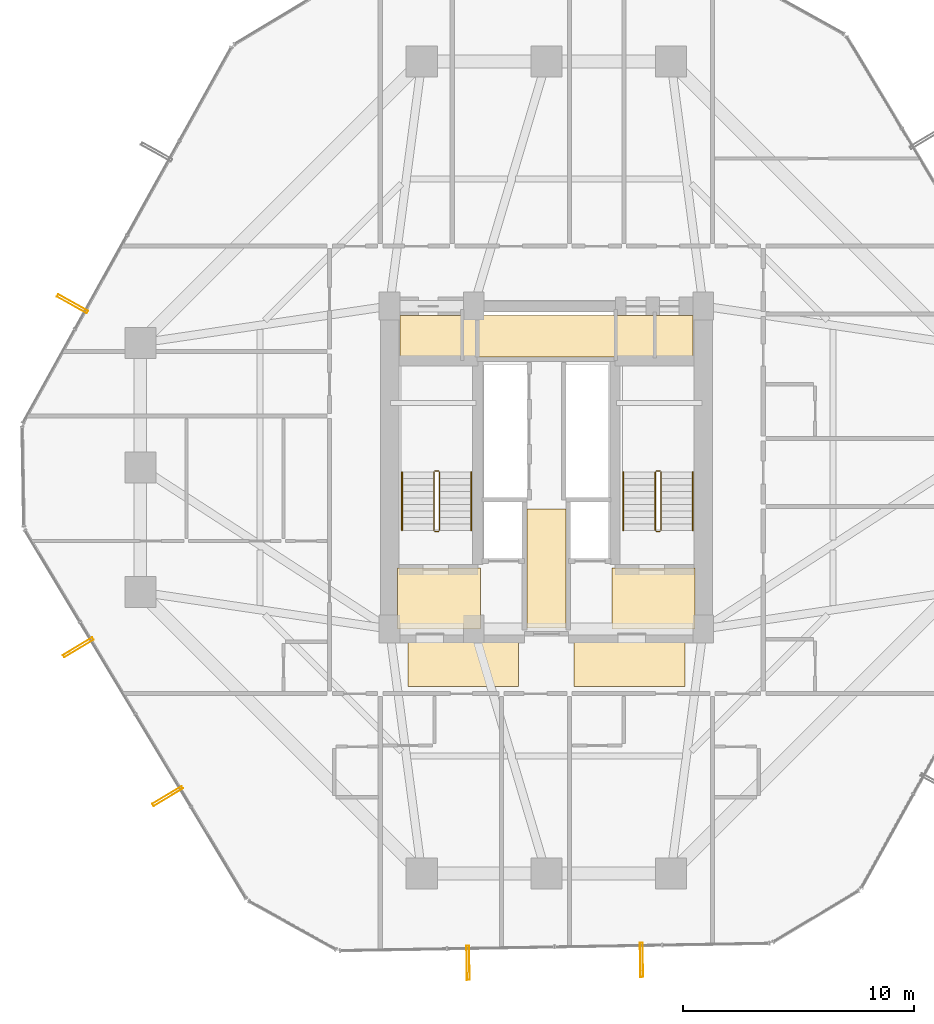
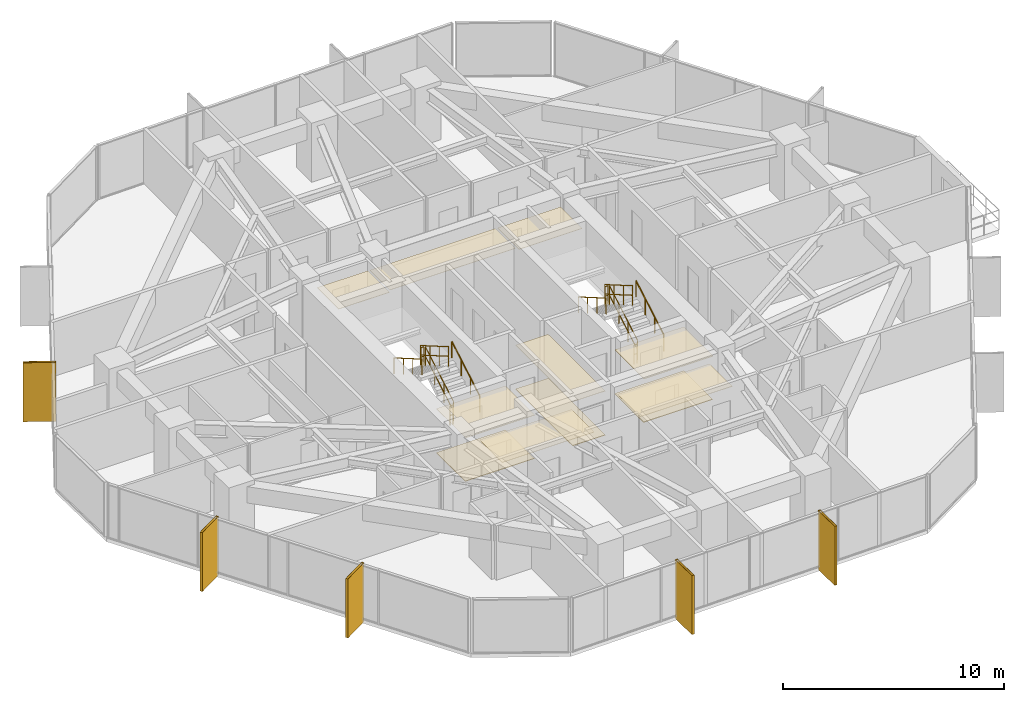
# One storey, part 38 of 39: 12 railings, 11 coverings, 5 shading devices.
"""IFC4 building model written with IfcOpenShell, lengths in metres."""

from ifc_helpers import new_model, si_unit, direction, frame, origin, origin_2d, place, context, subcontext, project, spatial, polyline, hollow_rectangle, circle, outline, extrude, material, layer, layer_set, material_profile, profile_set, type_object, element, save


model = new_model("IFC4")

# Units and contexts
model_context = context("Model", 3, precision=1e-05, world=origin(), true_north=direction((0.0, 1.0)))
body_context = subcontext(model_context, "Body", "Model", "MODEL_VIEW")
ifc_project = project(units=[si_unit("LENGTHUNIT", "METRE"), si_unit("AREAUNIT", "SQUARE_METRE"), si_unit("VOLUMEUNIT", "CUBIC_METRE"), si_unit("PLANEANGLEUNIT", "RADIAN"), si_unit("MASSUNIT", "GRAM", prefix="KILO")], contexts=[model_context])

# Site, building, storey
site_placement = place(None, origin())
site = spatial("IfcSite", under=ifc_project, at=site_placement, CompositionType="ELEMENT")
building_placement = place(site_placement, origin())
building = spatial("IfcBuilding", under=site, at=building_placement, Name="Veraguas Prism Commons", CompositionType="ELEMENT")
storey_placement = place(building_placement, frame((0.0, 0.0, 27.300048828125)))
storey = spatial("IfcBuildingStorey", under=building, at=storey_placement, Name="L06", CompositionType="ELEMENT", Elevation=27.300048828125)

# Shading devices
ifc_material_1 = material(Name="Anodised aluminium EN AW-6063 T6", Category="aluminium")
ifc_material_profile = material_profile(ifc_material_1, hollow_rectangle(XDim=0.1201171875, YDim=1.489990234375, WallThickness=0.006103515625, at=origin_2d()), Name="FIN120X1490X6")
ifc_profile_set = profile_set([ifc_material_profile], Name="Anodised aluminium EN AW-6063 T6")
shading_device_type = type_object("IfcShadingDeviceType", Name="Deep Pale-Metal Vertical Solar Fin 120x1490", PredefinedType="USERDEFINED", material=ifc_profile_set)
for number, where, z_axis, x_axis, name in (
    (1, (3.4541015625, 31.097412109375, -0.22998046875), (0.0, 0.0, 1.0), (-0.485114890576, -0.874450423376, 0.0), "Vertical Pale-Metal Solar Fin L06-F3B"),
    (2, (3.708740234375, 16.203857421875, -0.22998046875), (0.0, 0.0, 1.0), (0.514738835705, -0.85734703068, 0.0), "Vertical Pale-Metal Solar Fin L06-F4A"),
    (3, (7.580322265625, 9.75537109375, -0.22998046875), (0.0, 0.0, 1.0), (0.514738835705, -0.85734703068, 0.0), "Vertical Pale-Metal Solar Fin L06-F4B"),
    (4, (20.60595703125, 2.529296875, -0.22998046875), (0.0, 0.0, 1.0), (0.999853726281, 0.017103392695, 0.0), "Vertical Pale-Metal Solar Fin L06-F5A"),
    (5, (28.12646484375, 2.65771484375, -0.22998046875), (0.0, 0.0, 1.0), (0.999853726281, 0.017103392695, 0.0), "Vertical Pale-Metal Solar Fin L06-F5B"),
):
    element("IfcShadingDevice", number, at=place(storey_placement, frame(where, z_axis=z_axis, x_axis=x_axis)), inside=storey, type_object=shading_device_type, Name=name, ObjectType="FIN", PredefinedType="USERDEFINED", context=body_context, shape_type="SweptSolid", body=[
        extrude(hollow_rectangle(XDim=0.1201171875, YDim=1.489990234375, WallThickness=0.006103515625, at=origin_2d()), origin(), (0.0, 0.0, 1.0), 3.25),
    ])

# Coverings
ifc_material_2 = material(Name="Acoustic gypsum board")
ifc_layer_1 = layer(ifc_material_2, 0.02490234375, Name="Perforated Acoustic Ceiling Tile 25")
ifc_layer_set_1 = layer_set([ifc_layer_1], Name="Acoustic gypsum board")
covering_type_1 = type_object("IfcCoveringType", Name="Perforated Acoustic Ceiling Tile 25", PredefinedType="USERDEFINED", material=ifc_layer_set_1)
covering_1_placement = place(storey_placement, frame((0.0, 0.0, 2.425048828125)))
element("IfcCovering", 6, at=covering_1_placement, inside=storey, type_object=covering_type_1, Name="East Lobby Acoustic Ceiling L06", ObjectType="ACOUSTIC CEILING", PredefinedType="USERDEFINED", context=body_context, shape_type="SweptSolid", body=[
    extrude(outline(polyline([(26.85009765625, 17.0), (30.449951171875, 17.0), (30.449951171875, 19.64990234375), (26.85009765625, 19.64990234375), (26.85009765625, 17.0)])), origin(), (0.0, 0.0, 1.0), 0.02490234375),
])
ifc_material_3 = material(Name="Terrazzo stone finish", Category="masonry")
ifc_layer_2 = layer(ifc_material_3, 0.030029296875, Name="Polished Terrazzo Floor Finish 30", Category="masonry")
ifc_layer_set_2 = layer_set([ifc_layer_2], Name="Terrazzo stone finish")
covering_type_2 = type_object("IfcCoveringType", Name="Polished Terrazzo Floor Finish 30", PredefinedType="FLOORING", material=ifc_layer_set_2)
covering_2_placement = place(storey_placement, origin())
element("IfcCovering", 7, at=covering_2_placement, inside=storey, type_object=covering_type_2, Name="Terrazzo Lobby Flooring L06", PredefinedType="FLOORING", context=body_context, shape_type="SweptSolid", body=[
    extrude(outline(polyline([(23.14990234375, 17.050048828125), (24.85009765625, 17.050048828125), (24.85009765625, 22.199951171875), (23.14990234375, 22.199951171875), (23.14990234375, 17.050048828125)])), origin(), (0.0, 0.0, 1.0), 0.030029296875),
])
covering_3_placement = place(storey_placement, origin())
element("IfcCovering", 8, at=covering_3_placement, inside=storey, type_object=covering_type_2, Name="West FF Lobby Terrazzo Flooring L06", PredefinedType="FLOORING", context=body_context, shape_type="SweptSolid", body=[
    extrude(outline(polyline([(17.550048828125, 17.050048828125), (21.14990234375, 17.050048828125), (21.14990234375, 19.64990234375), (17.550048828125, 19.64990234375), (17.550048828125, 17.050048828125)])), origin(), (0.0, 0.0, 1.0), 0.030029296875),
])
covering_4_placement = place(storey_placement, origin())
element("IfcCovering", 9, at=covering_4_placement, inside=storey, type_object=covering_type_2, Name="East FF Lobby Terrazzo Flooring L06", PredefinedType="FLOORING", context=body_context, shape_type="SweptSolid", body=[
    extrude(outline(polyline([(26.85009765625, 17.050048828125), (30.449951171875, 17.050048828125), (30.449951171875, 19.64990234375), (26.85009765625, 19.64990234375), (26.85009765625, 17.050048828125)])), origin(), (0.0, 0.0, 1.0), 0.030029296875),
])

# Railings
ifc_material_4 = material(Name="Stainless steel AISI 316", Category="steel")
railing_type_1 = type_object("IfcRailingType", Name="Stair and Ramp Stainless Handrail 900", PredefinedType="HANDRAIL", material=ifc_material_4)
railing_1_placement = place(storey_placement, frame((20.75, 21.280029296875, 0.162353515625)))
element("IfcRailing", 10, at=railing_1_placement, inside=storey, type_object=railing_type_1, Name="Stair Handrail ST-01 L06-1", PredefinedType="HANDRAIL", context=body_context, shape_type="SweptSolid", body=[
    extrude(circle(Radius=0.02392578125, at=origin_2d()), frame((0.0, 0.0, 0.8759765625), z_axis=(0.0, 0.864876961378, 0.501983905795), x_axis=(-1.0, 0.0, 0.0)), (0.0, 0.0, 1.0), 2.913818359375),
    extrude(circle(Radius=0.02099609375, at=origin_2d()), origin(), (0.0, 0.0, 1.0), 0.851806640625),
    extrude(circle(Radius=0.02099609375, at=origin_2d()), frame((0.0, 0.840087890625, 0.487548828125)), (0.0, 0.0, 1.0), 0.851806640625),
    extrude(circle(Radius=0.02099609375, at=origin_2d()), frame((0.0, 1.679931640625, 0.97509765625)), (0.0, 0.0, 1.0), 0.851806640625),
    extrude(circle(Radius=0.02099609375, at=origin_2d()), frame((0.0, 2.52001953125, 1.462646484375)), (0.0, 0.0, 1.0), 0.851806640625),
])
railing_2_placement = place(storey_placement, frame((17.739990234375, 23.800048828125, 1.787353515625)))
element("IfcRailing", 11, at=railing_2_placement, inside=storey, type_object=railing_type_1, Name="Stair Handrail ST-01 L06-2", PredefinedType="HANDRAIL", context=body_context, shape_type="SweptSolid", body=[
    extrude(circle(Radius=0.02392578125, at=origin_2d()), frame((0.0, 0.0, 0.8759765625), z_axis=(0.0, -0.864876961378, 0.501983905795), x_axis=(1.0, 0.0, 0.0)), (0.0, 0.0, 1.0), 2.913818359375),
    extrude(circle(Radius=0.02099609375, at=origin_2d()), origin(), (0.0, 0.0, 1.0), 0.851806640625),
    extrude(circle(Radius=0.02099609375, at=origin_2d()), frame((0.0, -0.840087890625, 0.487548828125)), (0.0, 0.0, 1.0), 0.851806640625),
    extrude(circle(Radius=0.02099609375, at=origin_2d()), frame((0.0, -1.679931640625, 0.97509765625)), (0.0, 0.0, 1.0), 0.851806640625),
    extrude(circle(Radius=0.02099609375, at=origin_2d()), frame((0.0, -2.52001953125, 1.462646484375)), (0.0, 0.0, 1.0), 0.851806640625),
])
railing_3_placement = place(storey_placement, frame((30.35009765625, 21.280029296875, 0.162353515625)))
element("IfcRailing", 12, at=railing_3_placement, inside=storey, type_object=railing_type_1, Name="Stair Handrail ST-02 L06-1", PredefinedType="HANDRAIL", context=body_context, shape_type="SweptSolid", body=[
    extrude(circle(Radius=0.02392578125, at=origin_2d()), frame((0.0, 0.0, 0.8759765625), z_axis=(0.0, 0.864876961378, 0.501983905795), x_axis=(-1.0, 0.0, 0.0)), (0.0, 0.0, 1.0), 2.913818359375),
    extrude(circle(Radius=0.02099609375, at=origin_2d()), origin(), (0.0, 0.0, 1.0), 0.851806640625),
    extrude(circle(Radius=0.02099609375, at=origin_2d()), frame((0.0, 0.840087890625, 0.487548828125)), (0.0, 0.0, 1.0), 0.851806640625),
    extrude(circle(Radius=0.02099609375, at=origin_2d()), frame((0.0, 1.679931640625, 0.97509765625)), (0.0, 0.0, 1.0), 0.851806640625),
    extrude(circle(Radius=0.02099609375, at=origin_2d()), frame((0.0, 2.52001953125, 1.462646484375)), (0.0, 0.0, 1.0), 0.851806640625),
])
railing_4_placement = place(storey_placement, frame((27.340087890625, 23.800048828125, 1.787353515625)))
element("IfcRailing", 13, at=railing_4_placement, inside=storey, type_object=railing_type_1, Name="Stair Handrail ST-02 L06-2", PredefinedType="HANDRAIL", context=body_context, shape_type="SweptSolid", body=[
    extrude(circle(Radius=0.02392578125, at=origin_2d()), frame((0.0, 0.0, 0.8759765625), z_axis=(0.0, -0.864876961378, 0.501983905795), x_axis=(1.0, 0.0, 0.0)), (0.0, 0.0, 1.0), 2.913818359375),
    extrude(circle(Radius=0.02099609375, at=origin_2d()), origin(), (0.0, 0.0, 1.0), 0.851806640625),
    extrude(circle(Radius=0.02099609375, at=origin_2d()), frame((0.0, -0.840087890625, 0.487548828125)), (0.0, 0.0, 1.0), 0.851806640625),
    extrude(circle(Radius=0.02099609375, at=origin_2d()), frame((0.0, -1.679931640625, 0.97509765625)), (0.0, 0.0, 1.0), 0.851806640625),
    extrude(circle(Radius=0.02099609375, at=origin_2d()), frame((0.0, -2.52001953125, 1.462646484375)), (0.0, 0.0, 1.0), 0.851806640625),
])
railing_type_2 = type_object("IfcRailingType", Name="Stairwell Safety Guardrail 1100", PredefinedType="GUARDRAIL", material=ifc_material_4)
railing_5_placement = place(storey_placement, frame((19.3701171875, 21.280029296875, 0.162353515625)))
element("IfcRailing", 14, at=railing_5_placement, inside=storey, type_object=railing_type_2, Name="Stair Guard ST-01 L06-1", PredefinedType="GUARDRAIL", context=body_context, shape_type="SweptSolid", body=[
    extrude(circle(Radius=0.02392578125, at=origin_2d()), frame((0.0, 0.0, 1.076171875), z_axis=(0.0, 0.864876961378, 0.501983905795), x_axis=(-1.0, 0.0, 0.0)), (0.0, 0.0, 1.0), 2.913818359375),
    extrude(circle(Radius=0.02392578125, at=origin_2d()), frame((0.0, 0.0, 0.550048828125), z_axis=(0.0, 0.864876961378, 0.501983905795), x_axis=(-1.0, 0.0, 0.0)), (0.0, 0.0, 1.0), 2.913818359375),
    extrude(circle(Radius=0.02099609375, at=origin_2d()), origin(), (0.0, 0.0, 1.0), 1.052001953125),
    extrude(circle(Radius=0.02099609375, at=origin_2d()), frame((0.0, 0.840087890625, 0.487548828125)), (0.0, 0.0, 1.0), 1.052001953125),
    extrude(circle(Radius=0.02099609375, at=origin_2d()), frame((0.0, 1.679931640625, 0.97509765625)), (0.0, 0.0, 1.0), 1.052001953125),
    extrude(circle(Radius=0.02099609375, at=origin_2d()), frame((0.0, 2.52001953125, 1.462646484375)), (0.0, 0.0, 1.0), 1.052001953125),
])
railing_6_placement = place(storey_placement, frame((19.320068359375, 23.85009765625, 1.625)))
element("IfcRailing", 15, at=railing_6_placement, inside=storey, type_object=railing_type_2, Name="Stair Guard ST-01 L06-2", PredefinedType="GUARDRAIL", context=body_context, shape_type="SweptSolid", body=[
    extrude(circle(Radius=0.02392578125, at=origin_2d()), frame((0.0, 0.0, 1.076171875), z_axis=(-1.0, 0.0, 0.0), x_axis=(0.0, -1.0, 0.0)), (0.0, 0.0, 1.0), 0.150146484375),
    extrude(circle(Radius=0.02392578125, at=origin_2d()), frame((0.0, 0.0, 0.550048828125), z_axis=(-1.0, 0.0, 0.0), x_axis=(0.0, -1.0, 0.0)), (0.0, 0.0, 1.0), 0.150146484375),
    extrude(circle(Radius=0.02099609375, at=origin_2d()), origin(), (0.0, 0.0, 1.0), 1.052001953125),
    extrude(circle(Radius=0.02099609375, at=origin_2d()), frame((-0.150146484375, 0.0, 0.0)), (0.0, 0.0, 1.0), 1.052001953125),
])
railing_7_placement = place(storey_placement, frame((19.1201171875, 23.800048828125, 1.787353515625)))
element("IfcRailing", 16, at=railing_7_placement, inside=storey, type_object=railing_type_2, Name="Stair Guard ST-01 L06-3", PredefinedType="GUARDRAIL", context=body_context, shape_type="SweptSolid", body=[
    extrude(circle(Radius=0.02392578125, at=origin_2d()), frame((0.0, 0.0, 1.076171875), z_axis=(0.0, -0.864876961378, 0.501983905795), x_axis=(1.0, 0.0, 0.0)), (0.0, 0.0, 1.0), 2.913818359375),
    extrude(circle(Radius=0.02392578125, at=origin_2d()), frame((0.0, 0.0, 0.550048828125), z_axis=(0.0, -0.864876961378, 0.501983905795), x_axis=(1.0, 0.0, 0.0)), (0.0, 0.0, 1.0), 2.913818359375),
    extrude(circle(Radius=0.02099609375, at=origin_2d()), origin(), (0.0, 0.0, 1.0), 1.052001953125),
    extrude(circle(Radius=0.02099609375, at=origin_2d()), frame((0.0, -0.840087890625, 0.487548828125)), (0.0, 0.0, 1.0), 1.052001953125),
    extrude(circle(Radius=0.02099609375, at=origin_2d()), frame((0.0, -1.679931640625, 0.97509765625)), (0.0, 0.0, 1.0), 1.052001953125),
    extrude(circle(Radius=0.02099609375, at=origin_2d()), frame((0.0, -2.52001953125, 1.462646484375)), (0.0, 0.0, 1.0), 1.052001953125),
])
railing_8_placement = place(storey_placement, frame((19.320068359375, 21.22998046875, 0.0)))
element("IfcRailing", 17, at=railing_8_placement, inside=storey, type_object=railing_type_2, Name="Stair Guard ST-01 L06-4", PredefinedType="GUARDRAIL", context=body_context, shape_type="SweptSolid", body=[
    extrude(circle(Radius=0.02392578125, at=origin_2d()), frame((0.0, 0.0, 1.076171875), z_axis=(-1.0, 0.0, 0.0), x_axis=(0.0, -1.0, 0.0)), (0.0, 0.0, 1.0), 0.150146484375),
    extrude(circle(Radius=0.02392578125, at=origin_2d()), frame((0.0, 0.0, 0.550048828125), z_axis=(-1.0, 0.0, 0.0), x_axis=(0.0, -1.0, 0.0)), (0.0, 0.0, 1.0), 0.150146484375),
    extrude(circle(Radius=0.02099609375, at=origin_2d()), origin(), (0.0, 0.0, 1.0), 1.052001953125),
    extrude(circle(Radius=0.02099609375, at=origin_2d()), frame((-0.150146484375, 0.0, 0.0)), (0.0, 0.0, 1.0), 1.052001953125),
])
railing_9_placement = place(storey_placement, frame((28.969970703125, 21.280029296875, 0.162353515625)))
element("IfcRailing", 18, at=railing_9_placement, inside=storey, type_object=railing_type_2, Name="Stair Guard ST-02 L06-1", PredefinedType="GUARDRAIL", context=body_context, shape_type="SweptSolid", body=[
    extrude(circle(Radius=0.02392578125, at=origin_2d()), frame((0.0, 0.0, 1.076171875), z_axis=(0.0, 0.864876961378, 0.501983905795), x_axis=(-1.0, 0.0, 0.0)), (0.0, 0.0, 1.0), 2.913818359375),
    extrude(circle(Radius=0.02392578125, at=origin_2d()), frame((0.0, 0.0, 0.550048828125), z_axis=(0.0, 0.864876961378, 0.501983905795), x_axis=(-1.0, 0.0, 0.0)), (0.0, 0.0, 1.0), 2.913818359375),
    extrude(circle(Radius=0.02099609375, at=origin_2d()), origin(), (0.0, 0.0, 1.0), 1.052001953125),
    extrude(circle(Radius=0.02099609375, at=origin_2d()), frame((0.0, 0.840087890625, 0.487548828125)), (0.0, 0.0, 1.0), 1.052001953125),
    extrude(circle(Radius=0.02099609375, at=origin_2d()), frame((0.0, 1.679931640625, 0.97509765625)), (0.0, 0.0, 1.0), 1.052001953125),
    extrude(circle(Radius=0.02099609375, at=origin_2d()), frame((0.0, 2.52001953125, 1.462646484375)), (0.0, 0.0, 1.0), 1.052001953125),
])
railing_10_placement = place(storey_placement, frame((28.919921875, 23.85009765625, 1.625)))
element("IfcRailing", 19, at=railing_10_placement, inside=storey, type_object=railing_type_2, Name="Stair Guard ST-02 L06-2", PredefinedType="GUARDRAIL", context=body_context, shape_type="SweptSolid", body=[
    extrude(circle(Radius=0.02392578125, at=origin_2d()), frame((0.0, 0.0, 1.076171875), z_axis=(-1.0, 0.0, 0.0), x_axis=(0.0, -1.0, 0.0)), (0.0, 0.0, 1.0), 0.14990234375),
    extrude(circle(Radius=0.02392578125, at=origin_2d()), frame((0.0, 0.0, 0.550048828125), z_axis=(-1.0, 0.0, 0.0), x_axis=(0.0, -1.0, 0.0)), (0.0, 0.0, 1.0), 0.14990234375),
    extrude(circle(Radius=0.02099609375, at=origin_2d()), origin(), (0.0, 0.0, 1.0), 1.052001953125),
    extrude(circle(Radius=0.02099609375, at=origin_2d()), frame((-0.14990234375, 0.0, 0.0)), (0.0, 0.0, 1.0), 1.052001953125),
])
railing_11_placement = place(storey_placement, frame((28.719970703125, 23.800048828125, 1.787353515625)))
element("IfcRailing", 20, at=railing_11_placement, inside=storey, type_object=railing_type_2, Name="Stair Guard ST-02 L06-3", PredefinedType="GUARDRAIL", context=body_context, shape_type="SweptSolid", body=[
    extrude(circle(Radius=0.02392578125, at=origin_2d()), frame((0.0, 0.0, 1.076171875), z_axis=(0.0, -0.864876961378, 0.501983905795), x_axis=(1.0, 0.0, 0.0)), (0.0, 0.0, 1.0), 2.913818359375),
    extrude(circle(Radius=0.02392578125, at=origin_2d()), frame((0.0, 0.0, 0.550048828125), z_axis=(0.0, -0.864876961378, 0.501983905795), x_axis=(1.0, 0.0, 0.0)), (0.0, 0.0, 1.0), 2.913818359375),
    extrude(circle(Radius=0.02099609375, at=origin_2d()), origin(), (0.0, 0.0, 1.0), 1.052001953125),
    extrude(circle(Radius=0.02099609375, at=origin_2d()), frame((0.0, -0.840087890625, 0.487548828125)), (0.0, 0.0, 1.0), 1.052001953125),
    extrude(circle(Radius=0.02099609375, at=origin_2d()), frame((0.0, -1.679931640625, 0.97509765625)), (0.0, 0.0, 1.0), 1.052001953125),
    extrude(circle(Radius=0.02099609375, at=origin_2d()), frame((0.0, -2.52001953125, 1.462646484375)), (0.0, 0.0, 1.0), 1.052001953125),
])
railing_12_placement = place(storey_placement, frame((28.919921875, 21.22998046875, 0.0)))
element("IfcRailing", 21, at=railing_12_placement, inside=storey, type_object=railing_type_2, Name="Stair Guard ST-02 L06-4", PredefinedType="GUARDRAIL", context=body_context, shape_type="SweptSolid", body=[
    extrude(circle(Radius=0.02392578125, at=origin_2d()), frame((0.0, 0.0, 1.076171875), z_axis=(-1.0, 0.0, 0.0), x_axis=(0.0, -1.0, 0.0)), (0.0, 0.0, 1.0), 0.14990234375),
    extrude(circle(Radius=0.02392578125, at=origin_2d()), frame((0.0, 0.0, 0.550048828125), z_axis=(-1.0, 0.0, 0.0), x_axis=(0.0, -1.0, 0.0)), (0.0, 0.0, 1.0), 0.14990234375),
    extrude(circle(Radius=0.02099609375, at=origin_2d()), origin(), (0.0, 0.0, 1.0), 1.052001953125),
    extrude(circle(Radius=0.02099609375, at=origin_2d()), frame((-0.14990234375, 0.0, 0.0)), (0.0, 0.0, 1.0), 1.052001953125),
])

# Coverings
ifc_layer_3 = layer(ifc_material_2, 0.02001953125, Name="Suspended Gypsum Ceiling 20")
ifc_layer_set_3 = layer_set([ifc_layer_3], Name="Acoustic gypsum board")
covering_type_3 = type_object("IfcCoveringType", Name="Suspended Gypsum Ceiling 20", PredefinedType="CEILING", material=ifc_layer_set_3)
covering_5_placement = place(storey_placement, frame((0.0, 0.0, 2.429931640625)))
element("IfcCovering", 22, at=covering_5_placement, inside=storey, type_object=covering_type_3, Name="West Lobby Suspended Gypsum Ceiling L06", PredefinedType="CEILING", context=body_context, shape_type="SweptSolid", body=[
    extrude(outline(polyline([(17.550048828125, 17.0), (21.14990234375, 17.0), (21.14990234375, 19.64990234375), (17.550048828125, 19.64990234375), (17.550048828125, 17.0)])), origin(), (0.0, 0.0, 1.0), 0.02001953125),
])
covering_6_placement = place(storey_placement, frame((0.0, 0.0, 2.429931640625)))
element("IfcCovering", 23, at=covering_6_placement, inside=storey, type_object=covering_type_3, Name="Core Lobby Acoustic Ceiling L06-1", PredefinedType="CEILING", context=body_context, shape_type="SweptSolid", body=[
    extrude(outline(polyline([(18.0, 14.5), (22.800048828125, 14.5), (22.800048828125, 16.550048828125), (18.0, 16.550048828125), (18.0, 14.5)])), origin(), (0.0, 0.0, 1.0), 0.02001953125),
])
covering_7_placement = place(storey_placement, frame((0.0, 0.0, 2.429931640625)))
element("IfcCovering", 24, at=covering_7_placement, inside=storey, type_object=covering_type_3, Name="Core Lobby Acoustic Ceiling L06-2", PredefinedType="CEILING", context=body_context, shape_type="SweptSolid", body=[
    extrude(outline(polyline([(25.199951171875, 14.5), (30.0, 14.5), (30.0, 16.550048828125), (25.199951171875, 16.550048828125), (25.199951171875, 14.5)])), origin(), (0.0, 0.0, 1.0), 0.02001953125),
])
covering_8_placement = place(storey_placement, frame((0.0, 0.0, 2.429931640625)))
element("IfcCovering", 25, at=covering_8_placement, inside=storey, type_object=covering_type_3, Name="Core Lobby Acoustic Ceiling L06-3", PredefinedType="CEILING", context=body_context, shape_type="SweptSolid", body=[
    extrude(outline(polyline([(23.14990234375, 17.050048828125), (24.85009765625, 17.050048828125), (24.85009765625, 22.199951171875), (23.14990234375, 22.199951171875), (23.14990234375, 17.050048828125)])), origin(), (0.0, 0.0, 1.0), 0.02001953125),
])
covering_9_placement = place(storey_placement, frame((0.0, 0.0, 2.429931640625)))
element("IfcCovering", 26, at=covering_9_placement, inside=storey, type_object=covering_type_3, Name="Core Lobby Acoustic Ceiling L06-4", PredefinedType="CEILING", context=body_context, shape_type="SweptSolid", body=[
    extrude(outline(polyline([(17.64990234375, 28.64990234375), (20.300048828125, 28.64990234375), (20.300048828125, 30.60009765625), (17.64990234375, 30.60009765625), (17.64990234375, 28.64990234375)])), origin(), (0.0, 0.0, 1.0), 0.02001953125),
])
covering_10_placement = place(storey_placement, frame((0.0, 0.0, 2.429931640625)))
element("IfcCovering", 27, at=covering_10_placement, inside=storey, type_object=covering_type_3, Name="Core Lobby Acoustic Ceiling L06-5", PredefinedType="CEILING", context=body_context, shape_type="SweptSolid", body=[
    extrude(outline(polyline([(27.050048828125, 28.64990234375), (30.35009765625, 28.64990234375), (30.35009765625, 30.60009765625), (27.050048828125, 30.60009765625), (27.050048828125, 28.64990234375)])), origin(), (0.0, 0.0, 1.0), 0.02001953125),
])
covering_11_placement = place(storey_placement, frame((0.0, 0.0, 2.429931640625)))
element("IfcCovering", 28, at=covering_11_placement, inside=storey, type_object=covering_type_3, Name="Core Lobby Acoustic Ceiling L06-6", PredefinedType="CEILING", context=body_context, shape_type="SweptSolid", body=[
    extrude(outline(polyline([(20.39990234375, 28.800048828125), (26.949951171875, 28.800048828125), (26.949951171875, 30.60009765625), (20.39990234375, 30.60009765625), (20.39990234375, 28.800048828125)])), origin(), (0.0, 0.0, 1.0), 0.02001953125),
])

save(model, "model.ifc")
